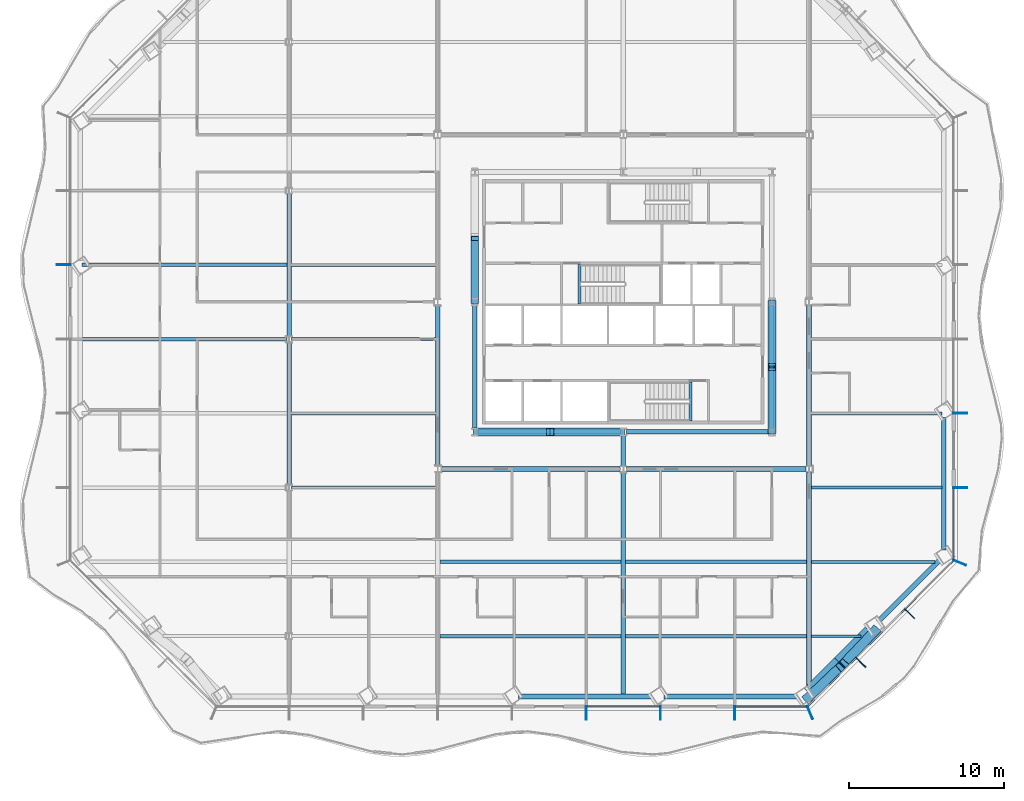
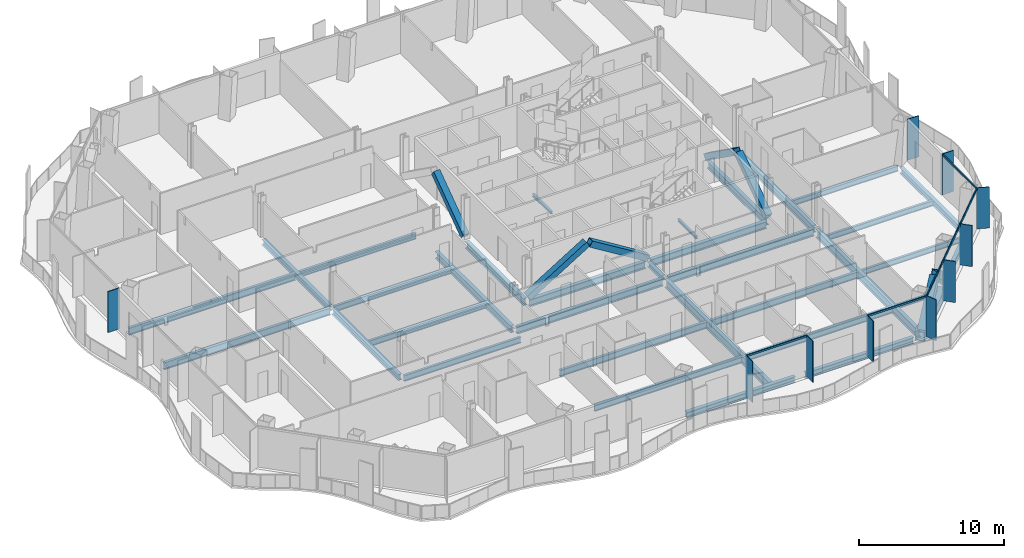
# One storey, part 2 of 20: 35 beams, 23 members, 4 elements without a shape of their own.
"""IFC4 building model written with IfcOpenShell, lengths in metres."""

from ifc_helpers import new_model, si_unit, direction, frame, origin, origin_2d, place, context, subcontext, project, spatial, rectangle, hollow_rectangle, i_section, extrude, material, material_profile, profile_set, type_object, element, aggregate, save


model = new_model("IFC4")

# Units and contexts
model_context = context("Model", 3, precision=1e-05, world=origin(), true_north=direction((0.0, 1.0)))
body_context = subcontext(model_context, "Body", "Model", "MODEL_VIEW")
ifc_project = project(units=[si_unit("LENGTHUNIT", "METRE"), si_unit("AREAUNIT", "SQUARE_METRE"), si_unit("VOLUMEUNIT", "CUBIC_METRE"), si_unit("PLANEANGLEUNIT", "RADIAN"), si_unit("MASSUNIT", "GRAM", prefix="KILO")], contexts=[model_context])

# Site, building, storey
site_placement = place(None, origin())
site = spatial("IfcSite", under=ifc_project, at=site_placement, CompositionType="ELEMENT")
building_placement = place(site_placement, origin())
building = spatial("IfcBuilding", under=site, at=building_placement, Name="Cairn Pilgrim Tower", CompositionType="ELEMENT")
storey_placement = place(building_placement, frame((0.0, 0.0, 87.0)))
storey = spatial("IfcBuildingStorey", under=building, at=storey_placement, Name="L20", CompositionType="ELEMENT", Elevation=87.0)

# Members
ifc_material_1 = material(Name="Structural steel S460M", Category="steel")
ifc_material_profile_1 = material_profile(ifc_material_1, hollow_rectangle(XDim=0.5, YDim=0.5, WallThickness=0.030029296875, at=origin_2d()), Name="BOX 500x500x30")
ifc_profile_set_1 = profile_set([ifc_material_profile_1], Name="Structural steel S460M")
member_type_1 = type_object("IfcMemberType", Name="BOX 500x500x30 BRACE", PredefinedType="BRACE", material=ifc_profile_set_1)
member_1_placement = place(storey_placement, frame((-2.356201171875, -6.0, 0.10009765625), z_axis=(0.85100996818, 0.0, 0.525149534951), x_axis=(0.0, 1.0, 0.0)))
element("IfcMember", 1, at=member_1_placement, inside=storey, type_object=member_type_1, Name="KB-1A", PredefinedType="BRACE", context=body_context, shape_type="SweptSolid", body=[
    extrude(hollow_rectangle(XDim=0.5, YDim=0.5, WallThickness=0.030029296875, at=origin_2d()), origin(), (0.0, 0.0, 1.0), 5.526123046875),
])
member_2_placement = place(storey_placement, frame((7.15625, -6.0, 0.10009765625), z_axis=(-0.851007515624, 0.0, 0.525153509321), x_axis=(0.0, -1.0, 0.0)))
element("IfcMember", 2, at=member_2_placement, inside=storey, type_object=member_type_1, Name="KB-1B", PredefinedType="BRACE", context=body_context, shape_type="SweptSolid", body=[
    extrude(hollow_rectangle(XDim=0.5, YDim=0.5, WallThickness=0.030029296875, at=origin_2d()), origin(), (0.0, 0.0, 1.0), 5.37646484375),
])
member_3_placement = place(storey_placement, frame((16.800048828125, -5.956298828125, 0.10009765625), z_axis=(0.0, 0.814198726233, 0.580586284889), x_axis=(-1.0, 0.0, 0.0)))
element("IfcMember", 3, at=member_3_placement, inside=storey, type_object=member_type_1, Name="KB-2A", PredefinedType="BRACE", context=body_context, shape_type="SweptSolid", body=[
    extrude(hollow_rectangle(XDim=0.5, YDim=0.5, WallThickness=0.030029296875, at=origin_2d()), origin(), (0.0, 0.0, 1.0), 4.99658203125),
])
member_4_placement = place(storey_placement, frame((16.800048828125, 2.356201171875, 0.10009765625), z_axis=(0.0, -0.814182254599, 0.580609383576), x_axis=(1.0, 0.0, 0.0)))
element("IfcMember", 4, at=member_4_placement, inside=storey, type_object=member_type_1, Name="KB-2B", PredefinedType="BRACE", context=body_context, shape_type="SweptSolid", body=[
    extrude(hollow_rectangle(XDim=0.5, YDim=0.5, WallThickness=0.030029296875, at=origin_2d()), origin(), (0.0, 0.0, 1.0), 4.996337890625),
])
member_5_placement = place(storey_placement, frame((-2.39990234375, 2.443603515625, 0.10009765625), z_axis=(0.0, 0.814198726233, 0.580586284889), x_axis=(-1.0, 0.0, 0.0)))
element("IfcMember", 5, at=member_5_placement, inside=storey, type_object=member_type_1, Name="KB-4B", PredefinedType="BRACE", context=body_context, shape_type="SweptSolid", body=[
    extrude(hollow_rectangle(XDim=0.5, YDim=0.5, WallThickness=0.030029296875, at=origin_2d()), origin(), (0.0, 0.0, 1.0), 4.99658203125),
])
ifc_material_profile_2 = material_profile(ifc_material_1, hollow_rectangle(XDim=0.60009765625, YDim=0.60009765625, WallThickness=0.034912109375, at=origin_2d()), Name="BOX 600x600x35")
ifc_profile_set_2 = profile_set([ifc_material_profile_2], Name="Structural steel S460M")
member_type_2 = type_object("IfcMemberType", Name="BOX 600x600x35 BRACE", PredefinedType="BRACE", material=ifc_profile_set_2)
for number, where, z_axis, x_axis, name in (
    (6, (19.078125, -23.2236328125, 0.14990234375), (0.542999615229, 0.514585417461, 0.663591188909), (-0.687860685244, 0.725842736201, 0.0), "XB-SE1-SE2-1"),
    (7, (23.4873046875, -18.814697265625, 0.14990234375), (-0.514630534483, -0.5429824671, 0.663570232454), (0.725801779065, -0.68790390136, 0.0), "XB-SE1-SE2-2"),
):
    element("IfcMember", number, at=place(storey_placement, frame(where, z_axis=z_axis, x_axis=x_axis)), inside=storey, type_object=member_type_2, Name=name, PredefinedType="BRACE", context=body_context, shape_type="SweptSolid", body=[
        extrude(hollow_rectangle(XDim=0.60009765625, YDim=0.60009765625, WallThickness=0.034912109375, at=origin_2d()), origin(), (0.0, 0.0, 1.0), 3.978271484375),
    ])

# Beams
ifc_material_2 = material(Name="Structural steel S355J2", Category="steel")
ifc_material_profile_3 = material_profile(ifc_material_2, hollow_rectangle(XDim=0.699951171875, YDim=0.800048828125, WallThickness=0.0400390625, at=origin_2d()), Name="BOX 700x800x40")
ifc_profile_set_3 = profile_set([ifc_material_profile_3], Name="Structural steel S355J2")
beam_type_1 = type_object("IfcBeamType", Name="BOX 700x800x40 RING GIRDER", PredefinedType="SPANDREL", material=ifc_profile_set_3)
beam_1_placement = place(storey_placement, frame((19.113525390625, -22.813720703125, -0.550048828125), z_axis=(0.707106781187, 0.707106781187, 0.0), x_axis=(-0.707106781187, 0.707106781187, 0.0)))
element("IfcBeam", 8, at=beam_1_placement, inside=storey, type_object=beam_type_1, Name="RG1-SE1-SE2-1", PredefinedType="SPANDREL", context=body_context, shape_type="SweptSolid", body=[
    extrude(hollow_rectangle(XDim=0.699951171875, YDim=0.800048828125, WallThickness=0.0400390625, at=origin_2d()), origin(), (0.0, 0.0, 1.0), 2.802978515625),
])
beam_2_placement = place(storey_placement, frame((21.095458984375, -20.831787109375, -0.550048828125), z_axis=(0.707106781187, 0.707106781187, 0.0), x_axis=(-0.707106781187, 0.707106781187, 0.0)))
element("IfcBeam", 9, at=beam_2_placement, inside=storey, type_object=beam_type_1, Name="RG1-SE1-SE2-2", PredefinedType="SPANDREL", context=body_context, shape_type="SweptSolid", body=[
    extrude(hollow_rectangle(XDim=0.699951171875, YDim=0.800048828125, WallThickness=0.0400390625, at=origin_2d()), origin(), (0.0, 0.0, 1.0), 2.802490234375),
])

# Curtain wall, members
ifc_material_3 = material(Name="Aluminium alloy 6063-T6 bronze anodised with Bronze tinted laminated low-E glass 8+16+8.8", Category="aluminium")
curtain_wall_type_1 = type_object("IfcCurtainWallType", Name="TOWER STICK CURTAIN WALL NS", PredefinedType="NOTDEFINED", material=ifc_material_3)
curtain_wall_1_placement = place(storey_placement, origin())
curtain_wall_1 = element("IfcCurtainWall", 10, at=curtain_wall_1_placement, inside=storey, type_object=curtain_wall_type_1, Name="Tower Stick Curtain Wall Ns S", PredefinedType="NOTDEFINED")
ifc_material_4 = material(Name="Aluminium alloy 6063-T6 bronze anodised", Category="aluminium")
ifc_material_profile_4 = material_profile(ifc_material_4, rectangle(XDim=0.89990234375, YDim=0.06005859375, at=origin_2d()), Name="FIN MULLION 60x900 BRONZE")
ifc_profile_set_4 = profile_set([ifc_material_profile_4], Name="Aluminium alloy 6063-T6 bronze anodised")
member_type_3 = type_object("IfcMemberType", Name="FIN MULLION 60x900 BRONZE", PredefinedType="MULLION", material=ifc_profile_set_4)
member_6_placement = place(storey_placement, frame((4.800048828125, -24.169921875, 0.0), z_axis=(0.0, 0.0, 1.0), x_axis=(0.0, -1.0, 0.0)))
member_6 = element("IfcMember", 11, at=member_6_placement, type_object=member_type_3, Name="Fin mullion S6", PredefinedType="MULLION", context=body_context, shape_type="SweptSolid", body=[
    extrude(rectangle(XDim=0.89990234375, YDim=0.06005859375, at=origin_2d()), origin(), (0.0, 0.0, 1.0), 3.449951171875),
])
member_7_placement = place(storey_placement, frame((9.60009765625, -24.169921875, 0.0), z_axis=(0.0, 0.0, 1.0), x_axis=(0.0, -1.0, 0.0)))
member_7 = element("IfcMember", 12, at=member_7_placement, type_object=member_type_3, Name="Fin mullion S7", PredefinedType="MULLION", context=body_context, shape_type="SweptSolid", body=[
    extrude(rectangle(XDim=0.89990234375, YDim=0.06005859375, at=origin_2d()), origin(), (0.0, 0.0, 1.0), 3.449951171875),
])
member_8_placement = place(storey_placement, frame((14.39990234375, -24.169921875, 0.0), z_axis=(0.0, 0.0, 1.0), x_axis=(0.0, -1.0, 0.0)))
member_8 = element("IfcMember", 13, at=member_8_placement, type_object=member_type_3, Name="Fin mullion S8", PredefinedType="MULLION", context=body_context, shape_type="SweptSolid", body=[
    extrude(rectangle(XDim=0.89990234375, YDim=0.06005859375, at=origin_2d()), origin(), (0.0, 0.0, 1.0), 3.449951171875),
])

curtain_wall_type_2 = type_object("IfcCurtainWallType", Name="CHAMFER CORNER CURTAIN WALL", PredefinedType="NOTDEFINED", material=ifc_material_3)
curtain_wall_2_placement = place(storey_placement, origin())
curtain_wall_2 = element("IfcCurtainWall", 14, at=curtain_wall_2_placement, inside=storey, type_object=curtain_wall_type_2, Name="Chamfer Corner Curtain Wall SE", PredefinedType="NOTDEFINED")
member_9_placement = place(storey_placement, frame((19.257080078125, -24.137939453125, 0.0), z_axis=(0.0, 0.0, 1.0), x_axis=(0.382683432365, -0.923879532511, 0.0)))
member_9 = element("IfcMember", 15, at=member_9_placement, type_object=member_type_3, Name="Fin mullion SE1", PredefinedType="MULLION", context=body_context, shape_type="SweptSolid", body=[
    extrude(rectangle(XDim=0.89990234375, YDim=0.06005859375, at=origin_2d()), origin(), (0.0, 0.0, 1.0), 3.449951171875),
])
member_10_placement = place(storey_placement, frame((22.544677734375, -20.895751953125, 0.0), z_axis=(0.0, 0.0, 1.0), x_axis=(0.707106781187, -0.707106781187, 0.0)))
member_10 = element("IfcMember", 16, at=member_10_placement, type_object=member_type_3, Name="Fin mullion SE2", PredefinedType="MULLION", context=body_context, shape_type="SweptSolid", body=[
    extrude(rectangle(XDim=0.89990234375, YDim=0.06005859375, at=origin_2d()), origin(), (0.0, 0.0, 1.0), 3.449951171875),
])
member_11_placement = place(storey_placement, frame((25.69580078125, -17.74462890625, 0.0), z_axis=(0.0, 0.0, 1.0), x_axis=(0.707106781187, -0.707106781187, 0.0)))
member_11 = element("IfcMember", 17, at=member_11_placement, type_object=member_type_3, Name="Fin mullion SE3", PredefinedType="MULLION", context=body_context, shape_type="SweptSolid", body=[
    extrude(rectangle(XDim=0.89990234375, YDim=0.06005859375, at=origin_2d()), origin(), (0.0, 0.0, 1.0), 3.449951171875),
])

curtain_wall_type_3 = type_object("IfcCurtainWallType", Name="TOWER STICK CURTAIN WALL EW", PredefinedType="NOTDEFINED", material=ifc_material_3)
curtain_wall_3_placement = place(storey_placement, origin())
curtain_wall_3 = element("IfcCurtainWall", 18, at=curtain_wall_3_placement, inside=storey, type_object=curtain_wall_type_3, Name="Tower Stick Curtain Wall Ew E", PredefinedType="NOTDEFINED")
member_12_placement = place(storey_placement, frame((28.93798828125, -14.457275390625, 0.0), z_axis=(0.0, 0.0, 1.0), x_axis=(0.923879532511, -0.382683432365, 0.0)))
member_12 = element("IfcMember", 19, at=member_12_placement, type_object=member_type_3, Name="Fin mullion E1", PredefinedType="MULLION", context=body_context, shape_type="SweptSolid", body=[
    extrude(rectangle(XDim=0.89990234375, YDim=0.06005859375, at=origin_2d()), origin(), (0.0, 0.0, 1.0), 3.449951171875),
])
member_13_placement = place(storey_placement, frame((28.969970703125, -9.60009765625, 0.0), z_axis=(0.0, 0.0, 1.0), x_axis=(1.0, 0.0, 0.0)))
member_13 = element("IfcMember", 20, at=member_13_placement, type_object=member_type_3, Name="Fin mullion E2", PredefinedType="MULLION", context=body_context, shape_type="SweptSolid", body=[
    extrude(rectangle(XDim=0.89990234375, YDim=0.06005859375, at=origin_2d()), origin(), (0.0, 0.0, 1.0), 3.449951171875),
])
member_14_placement = place(storey_placement, frame((28.969970703125, -4.800048828125, 0.0), z_axis=(0.0, 0.0, 1.0), x_axis=(1.0, 0.0, 0.0)))
member_14 = element("IfcMember", 21, at=member_14_placement, type_object=member_type_3, Name="Fin mullion E3", PredefinedType="MULLION", context=body_context, shape_type="SweptSolid", body=[
    extrude(rectangle(XDim=0.89990234375, YDim=0.06005859375, at=origin_2d()), origin(), (0.0, 0.0, 1.0), 3.449951171875),
])

# Curtain wall, member
curtain_wall_4_placement = place(storey_placement, origin())
curtain_wall_4 = element("IfcCurtainWall", 22, at=curtain_wall_4_placement, inside=storey, type_object=curtain_wall_type_3, Name="Tower Stick Curtain Wall Ew W", PredefinedType="NOTDEFINED")
member_15_placement = place(storey_placement, frame((-28.969970703125, 4.800048828125, 0.0), z_axis=(0.0, 0.0, 1.0), x_axis=(-1.0, 0.0, 0.0)))
member_15 = element("IfcMember", 23, at=member_15_placement, type_object=member_type_3, Name="Fin mullion W3", PredefinedType="MULLION", context=body_context, shape_type="SweptSolid", body=[
    extrude(rectangle(XDim=0.89990234375, YDim=0.06005859375, at=origin_2d()), origin(), (0.0, 0.0, 1.0), 3.449951171875),
])
aggregate(curtain_wall_4, [member_15])

# Beams
ifc_material_profile_5 = material_profile(ifc_material_2, i_section(OverallWidth=0.300048828125, OverallDepth=0.39990234375, WebThickness=0.013427734375, FlangeThickness=0.02392578125, FilletRadius=0.027099609375, at=origin_2d()), Name="HEB 400")
ifc_profile_set_5 = profile_set([ifc_material_profile_5], Name="Structural steel S355J2")
beam_type_2 = type_object("IfcBeamType", Name="HEB 400 GIRDER", PredefinedType="BEAM", material=ifc_profile_set_5)
beam_3_placement = place(storey_placement, frame((7.199951171875, -8.18798828125, -0.35009765625), z_axis=(0.0, 1.0, 0.0), x_axis=(-1.0, 0.0, 0.0)))
element("IfcBeam", 24, at=beam_3_placement, inside=storey, type_object=beam_type_2, Name="PG3-E1", PredefinedType="BEAM", context=body_context, shape_type="SweptSolid", body=[
    extrude(i_section(OverallWidth=0.300048828125, OverallDepth=0.39990234375, WebThickness=0.013427734375, FlangeThickness=0.02392578125, FilletRadius=0.027099609375, at=origin_2d()), origin(), (0.0, 0.0, 1.0), 1.969482421875),
])
ifc_material_profile_6 = material_profile(ifc_material_2, i_section(OverallWidth=0.300048828125, OverallDepth=0.5, WebThickness=0.014404296875, FlangeThickness=0.028076171875, FilletRadius=0.027099609375, at=origin_2d()), Name="HEB 500")
ifc_profile_set_6 = profile_set([ifc_material_profile_6], Name="Structural steel S355J2")
beam_type_3 = type_object("IfcBeamType", Name="HEB 500 GIRDER", PredefinedType="BEAM", material=ifc_profile_set_6)
for number, where, z_axis, x_axis, name in (
    (25, (-14.39990234375, -9.3955078125, -0.39990234375), (0.0, 1.0, 0.0), (-1.0, 0.0, 0.0), "PG1-3"),
    (26, (-14.39990234375, 0.20458984375, -0.39990234375), (0.0, 1.0, 0.0), (-1.0, 0.0, 0.0), "PG1-4"),
):
    element("IfcBeam", number, at=place(storey_placement, frame(where, z_axis=z_axis, x_axis=x_axis)), inside=storey, type_object=beam_type_3, Name=name, PredefinedType="BEAM", context=body_context, shape_type="SweptSolid", body=[
        extrude(i_section(OverallWidth=0.300048828125, OverallDepth=0.5, WebThickness=0.014404296875, FlangeThickness=0.028076171875, FilletRadius=0.027099609375, at=origin_2d()), origin(), (0.0, 0.0, 1.0), 9.19091796875),
    ])
ifc_material_profile_7 = material_profile(ifc_material_2, i_section(OverallWidth=0.300048828125, OverallDepth=0.5, WebThickness=0.014404296875, FlangeThickness=0.028076171875, FilletRadius=0.027099609375, at=origin_2d()), Name="HEB 500")
ifc_profile_set_7 = profile_set([ifc_material_profile_7], Name="Structural steel S355J2")
beam_type_4 = type_object("IfcBeamType", Name="HEB 500 RING GIRDER", PredefinedType="SPANDREL", material=ifc_profile_set_7)
for number, where, z_axis, x_axis, name in (
    (27, (0.405029296875, -23.10009765625, -0.39990234375), (1.0, 0.0, 0.0), (0.0, 1.0, 0.0), "RG1-S3-S4"),
    (28, (9.818603515625, -23.10009765625, -0.39990234375), (1.0, 0.0, 0.0), (0.0, 1.0, 0.0), "RG1-S4-SE1"),
):
    element("IfcBeam", number, at=place(storey_placement, frame(where, z_axis=z_axis, x_axis=x_axis)), inside=storey, type_object=beam_type_4, Name=name, PredefinedType="SPANDREL", context=body_context, shape_type="SweptSolid", body=[
        extrude(i_section(OverallWidth=0.300048828125, OverallDepth=0.5, WebThickness=0.014404296875, FlangeThickness=0.028076171875, FilletRadius=0.027099609375, at=origin_2d()), origin(), (0.0, 0.0, 1.0), 8.603515625),
    ])
beam_4_placement = place(storey_placement, frame((23.64990234375, -18.277099609375, -0.39990234375), z_axis=(0.707128558756, 0.707085002947, 0.0), x_axis=(-0.707085002947, 0.707128558756, 0.0)))
element("IfcBeam", 29, at=beam_4_placement, inside=storey, type_object=beam_type_4, Name="RG1-SE2-E1", PredefinedType="SPANDREL", context=body_context, shape_type="SweptSolid", body=[
    extrude(i_section(OverallWidth=0.300048828125, OverallDepth=0.5, WebThickness=0.014404296875, FlangeThickness=0.028076171875, FilletRadius=0.027099609375, at=origin_2d()), origin(), (0.0, 0.0, 1.0), 5.605224609375),
])
beam_5_placement = place(storey_placement, frame((27.89990234375, -13.622314453125, -0.39990234375), z_axis=(0.0, 1.0, 0.0), x_axis=(-1.0, 0.0, 0.0)))
element("IfcBeam", 30, at=beam_5_placement, inside=storey, type_object=beam_type_4, Name="RG1-E1-E2", PredefinedType="SPANDREL", context=body_context, shape_type="SweptSolid", body=[
    extrude(i_section(OverallWidth=0.300048828125, OverallDepth=0.5, WebThickness=0.014404296875, FlangeThickness=0.028076171875, FilletRadius=0.027099609375, at=origin_2d()), origin(), (0.0, 0.0, 1.0), 8.54150390625),
])
ifc_material_profile_8 = material_profile(ifc_material_2, i_section(OverallWidth=0.300048828125, OverallDepth=0.60009765625, WebThickness=0.015380859375, FlangeThickness=0.030029296875, FilletRadius=0.027099609375, at=origin_2d()), Name="HEB 600")
ifc_profile_set_8 = profile_set([ifc_material_profile_8], Name="Structural steel S355J2")
beam_type_5 = type_object("IfcBeamType", Name="HEB 600 CORE BEAM", PredefinedType="BEAM", material=ifc_profile_set_8)
beam_6_placement = place(storey_placement, frame((-2.203369140625, -6.0, -0.449951171875), z_axis=(1.0, 0.0, 0.0), x_axis=(0.0, 1.0, 0.0)))
element("IfcBeam", 31, at=beam_6_placement, inside=storey, type_object=beam_type_5, Name="CB-1", PredefinedType="BEAM", context=body_context, shape_type="SweptSolid", body=[
    extrude(i_section(OverallWidth=0.300048828125, OverallDepth=0.60009765625, WebThickness=0.015380859375, FlangeThickness=0.030029296875, FilletRadius=0.027099609375, at=origin_2d()), origin(), (0.0, 0.0, 1.0), 9.206787109375),
])
beam_7_placement = place(storey_placement, frame((7.396728515625, -6.0, -0.449951171875), z_axis=(1.0, 0.0, 0.0), x_axis=(0.0, 1.0, 0.0)))
element("IfcBeam", 32, at=beam_7_placement, inside=storey, type_object=beam_type_5, Name="CB-2", PredefinedType="BEAM", context=body_context, shape_type="SweptSolid", body=[
    extrude(i_section(OverallWidth=0.300048828125, OverallDepth=0.60009765625, WebThickness=0.015380859375, FlangeThickness=0.030029296875, FilletRadius=0.027099609375, at=origin_2d()), origin(), (0.0, 0.0, 1.0), 9.20654296875),
])
for number, where, z_axis, x_axis, name in (
    (33, (16.800048828125, -5.803466796875, -0.449951171875), (0.0, 1.0, 0.0), (-1.0, 0.0, 0.0), "CB-3"),
    (34, (-2.39990234375, 2.203369140625, -0.449951171875), (0.0, -1.0, 0.0), (1.0, 0.0, 0.0), "CB-8"),
):
    element("IfcBeam", number, at=place(storey_placement, frame(where, z_axis=z_axis, x_axis=x_axis)), inside=storey, type_object=beam_type_5, Name=name, PredefinedType="BEAM", context=body_context, shape_type="SweptSolid", body=[
        extrude(i_section(OverallWidth=0.300048828125, OverallDepth=0.60009765625, WebThickness=0.015380859375, FlangeThickness=0.030029296875, FilletRadius=0.027099609375, at=origin_2d()), origin(), (0.0, 0.0, 1.0), 8.0068359375),
    ])
ifc_material_profile_9 = material_profile(ifc_material_2, i_section(OverallWidth=0.300048828125, OverallDepth=0.60009765625, WebThickness=0.015380859375, FlangeThickness=0.030029296875, FilletRadius=0.027099609375, at=origin_2d()), Name="HEB 600")
ifc_profile_set_9 = profile_set([ifc_material_profile_9], Name="Structural steel S355J2")
beam_type_6 = type_object("IfcBeamType", Name="HEB 600 GIRDER", PredefinedType="BEAM", material=ifc_profile_set_9)
for number, where, z_axis, x_axis, name in (
    (35, (-4.800048828125, -8.18798828125, -0.449951171875), (0.0, 1.0, 0.0), (-1.0, 0.0, 0.0), "PG2-2"),
    (36, (19.199951171875, -8.18798828125, -0.449951171875), (0.0, 1.0, 0.0), (-1.0, 0.0, 0.0), "PG4-2"),
):
    element("IfcBeam", number, at=place(storey_placement, frame(where, z_axis=z_axis, x_axis=x_axis)), inside=storey, type_object=beam_type_6, Name=name, PredefinedType="BEAM", context=body_context, shape_type="SweptSolid", body=[
        extrude(i_section(OverallWidth=0.300048828125, OverallDepth=0.60009765625, WebThickness=0.015380859375, FlangeThickness=0.030029296875, FilletRadius=0.027099609375, at=origin_2d()), origin(), (0.0, 0.0, 1.0), 10.3759765625),
    ])
ifc_material_profile_10 = material_profile(ifc_material_2, i_section(OverallWidth=0.300048828125, OverallDepth=0.60009765625, WebThickness=0.015380859375, FlangeThickness=0.030029296875, FilletRadius=0.027099609375, at=origin_2d()), Name="HEB 600")
ifc_profile_set_10 = profile_set([ifc_material_profile_10], Name="Structural steel S355J2")
beam_type_7 = type_object("IfcBeamType", Name="HEB 600 INNER GIRDER", PredefinedType="BEAM", material=ifc_profile_set_10)
for number, where, z_axis, x_axis, name in (
    (37, (-4.587890625, -8.39990234375, -0.449951171875), (1.0, 0.0, 0.0), (0.0, 1.0, 0.0), "IG1-1"),
    (38, (7.412109375, -8.39990234375, -0.449951171875), (1.0, 0.0, 0.0), (0.0, 1.0, 0.0), "IG1-2"),
):
    element("IfcBeam", number, at=place(storey_placement, frame(where, z_axis=z_axis, x_axis=x_axis)), inside=storey, type_object=beam_type_7, Name=name, PredefinedType="BEAM", context=body_context, shape_type="SweptSolid", body=[
        extrude(i_section(OverallWidth=0.300048828125, OverallDepth=0.60009765625, WebThickness=0.015380859375, FlangeThickness=0.030029296875, FilletRadius=0.027099609375, at=origin_2d()), origin(), (0.0, 0.0, 1.0), 11.575927734375),
    ])
ifc_material_profile_11 = material_profile(ifc_material_2, i_section(OverallWidth=0.300048828125, OverallDepth=0.699951171875, WebThickness=0.01708984375, FlangeThickness=0.031982421875, FilletRadius=0.027099609375, at=origin_2d()), Name="HEB 700")
ifc_profile_set_11 = profile_set([ifc_material_profile_11], Name="Structural steel S355J2")
beam_type_8 = type_object("IfcBeamType", Name="HEB 700 GIRDER", PredefinedType="BEAM", material=ifc_profile_set_11)
beam_8_placement = place(storey_placement, frame((7.199951171875, -22.97998046875, -0.5), z_axis=(0.0, 1.0, 0.0), x_axis=(-1.0, 0.0, 0.0)))
element("IfcBeam", 39, at=beam_8_placement, inside=storey, type_object=beam_type_8, Name="PG3-1", PredefinedType="BEAM", context=body_context, shape_type="SweptSolid", body=[
    extrude(i_section(OverallWidth=0.300048828125, OverallDepth=0.699951171875, WebThickness=0.01708984375, FlangeThickness=0.031982421875, FilletRadius=0.027099609375, at=origin_2d()), origin(), (0.0, 0.0, 1.0), 14.367919921875),
])
beam_9_placement = place(storey_placement, frame((19.199951171875, -22.545166015625, -0.5), z_axis=(0.0, 1.0, 0.0), x_axis=(-1.0, 0.0, 0.0)))
element("IfcBeam", 40, at=beam_9_placement, inside=storey, type_object=beam_type_8, Name="PG4-1", PredefinedType="BEAM", context=body_context, shape_type="SweptSolid", body=[
    extrude(i_section(OverallWidth=0.300048828125, OverallDepth=0.699951171875, WebThickness=0.01708984375, FlangeThickness=0.031982421875, FilletRadius=0.027099609375, at=origin_2d()), origin(), (0.0, 0.0, 1.0), 13.93310546875),
])
ifc_material_profile_12 = material_profile(ifc_material_2, i_section(OverallWidth=0.169921875, OverallDepth=0.360107421875, WebThickness=0.008056640625, FlangeThickness=0.0126953125, FilletRadius=0.01806640625, at=origin_2d()), Name="IPE 360")
ifc_profile_set_12 = profile_set([ifc_material_profile_12], Name="Structural steel S355J2")
beam_type_9 = type_object("IfcBeamType", Name="IPE 360 SECONDARY BEAM", PredefinedType="JOIST", material=ifc_profile_set_12)
beam_10_placement = place(storey_placement, frame((19.35009765625, -19.199951171875, -0.330078125), z_axis=(1.0, 0.0, 0.0), x_axis=(0.0, 1.0, 0.0)))
element("IfcBeam", 41, at=beam_10_placement, inside=storey, type_object=beam_type_9, Name="SB1-5", PredefinedType="JOIST", context=body_context, shape_type="SweptSolid", body=[
    extrude(i_section(OverallWidth=0.169921875, OverallDepth=0.360107421875, WebThickness=0.008056640625, FlangeThickness=0.0126953125, FilletRadius=0.01806640625, at=origin_2d()), origin(), (0.0, 0.0, 1.0), 3.195068359375),
])
ifc_material_profile_13 = material_profile(ifc_material_2, i_section(OverallWidth=0.18994140625, OverallDepth=0.449951171875, WebThickness=0.009521484375, FlangeThickness=0.0146484375, FilletRadius=0.02099609375, at=origin_2d()), Name="IPE 450")
ifc_profile_set_13 = profile_set([ifc_material_profile_13], Name="Structural steel S355J2")
beam_type_10 = type_object("IfcBeamType", Name="IPE 450 SECONDARY BEAM", PredefinedType="JOIST", material=ifc_profile_set_13)
beam_11_placement = place(storey_placement, frame((19.35009765625, -14.39990234375, -0.375), z_axis=(1.0, 0.0, 0.0), x_axis=(0.0, 1.0, 0.0)))
element("IfcBeam", 42, at=beam_11_placement, inside=storey, type_object=beam_type_10, Name="SB2-5", PredefinedType="JOIST", context=body_context, shape_type="SweptSolid", body=[
    extrude(i_section(OverallWidth=0.18994140625, OverallDepth=0.449951171875, WebThickness=0.009521484375, FlangeThickness=0.0146484375, FilletRadius=0.02099609375, at=origin_2d()), origin(), (0.0, 0.0, 1.0), 7.9951171875),
])
for number, where, z_axis, x_axis, name in (
    (43, (19.35009765625, -9.60009765625, -0.375), (1.0, 0.0, 0.0), (0.0, 1.0, 0.0), "SB3-3"),
    (44, (19.35009765625, -4.800048828125, -0.375), (1.0, 0.0, 0.0), (0.0, 1.0, 0.0), "SB4-3"),
):
    element("IfcBeam", number, at=place(storey_placement, frame(where, z_axis=z_axis, x_axis=x_axis)), inside=storey, type_object=beam_type_10, Name=name, PredefinedType="JOIST", context=body_context, shape_type="SweptSolid", body=[
        extrude(i_section(OverallWidth=0.18994140625, OverallDepth=0.449951171875, WebThickness=0.009521484375, FlangeThickness=0.0146484375, FilletRadius=0.02099609375, at=origin_2d()), origin(), (0.0, 0.0, 1.0), 8.429931640625),
    ])
ifc_material_profile_14 = material_profile(ifc_material_2, i_section(OverallWidth=0.199951171875, OverallDepth=0.5, WebThickness=0.01025390625, FlangeThickness=0.01611328125, FilletRadius=0.02099609375, at=origin_2d()), Name="IPE 500")
ifc_profile_set_14 = profile_set([ifc_material_profile_14], Name="Structural steel S355J2")
beam_type_11 = type_object("IfcBeamType", Name="IPE 500 SECONDARY BEAM", PredefinedType="JOIST", material=ifc_profile_set_14)
for number, where, z_axis, x_axis, name in (
    (45, (-14.25, -9.60009765625, -0.39990234375), (1.0, 0.0, 0.0), (0.0, 1.0, 0.0), "SB3-2"),
    (46, (-14.25, -4.800048828125, -0.39990234375), (1.0, 0.0, 0.0), (0.0, 1.0, 0.0), "SB4-2"),
    (47, (-14.25, 0.0, -0.39990234375), (1.0, 0.0, 0.0), (0.0, 1.0, 0.0), "SB5-2"),
    (48, (-14.25, 4.800048828125, -0.39990234375), (1.0, 0.0, 0.0), (0.0, 1.0, 0.0), "SB6-2"),
):
    element("IfcBeam", number, at=place(storey_placement, frame(where, z_axis=z_axis, x_axis=x_axis)), inside=storey, type_object=beam_type_11, Name=name, PredefinedType="JOIST", context=body_context, shape_type="SweptSolid", body=[
        extrude(i_section(OverallWidth=0.199951171875, OverallDepth=0.5, WebThickness=0.01025390625, FlangeThickness=0.01611328125, FilletRadius=0.02099609375, at=origin_2d()), origin(), (0.0, 0.0, 1.0), 9.300048828125),
    ])
ifc_material_profile_15 = material_profile(ifc_material_2, i_section(OverallWidth=0.2099609375, OverallDepth=0.550048828125, WebThickness=0.010986328125, FlangeThickness=0.01708984375, FilletRadius=0.02392578125, at=origin_2d()), Name="IPE 550")
ifc_profile_set_15 = profile_set([ifc_material_profile_15], Name="Structural steel S355J2")
beam_type_12 = type_object("IfcBeamType", Name="IPE 550 SECONDARY BEAM", PredefinedType="JOIST", material=ifc_profile_set_15)
for number, where, z_axis, x_axis, name in (
    (49, (-4.64990234375, -19.199951171875, -0.425048828125), (1.0, 0.0, 0.0), (0.0, 1.0, 0.0), "SB1-3"),
    (50, (7.35009765625, -19.199951171875, -0.425048828125), (1.0, 0.0, 0.0), (0.0, 1.0, 0.0), "SB1-4"),
    (51, (-4.64990234375, -14.39990234375, -0.425048828125), (1.0, 0.0, 0.0), (0.0, 1.0, 0.0), "SB2-3"),
    (52, (7.35009765625, -14.39990234375, -0.425048828125), (1.0, 0.0, 0.0), (0.0, 1.0, 0.0), "SB2-4"),
):
    element("IfcBeam", number, at=place(storey_placement, frame(where, z_axis=z_axis, x_axis=x_axis)), inside=storey, type_object=beam_type_12, Name=name, PredefinedType="JOIST", context=body_context, shape_type="SweptSolid", body=[
        extrude(i_section(OverallWidth=0.2099609375, OverallDepth=0.550048828125, WebThickness=0.010986328125, FlangeThickness=0.01708984375, FilletRadius=0.02392578125, at=origin_2d()), origin(), (0.0, 0.0, 1.0), 11.699951171875),
    ])
ifc_material_profile_16 = material_profile(ifc_material_2, i_section(OverallWidth=0.219970703125, OverallDepth=0.60009765625, WebThickness=0.011962890625, FlangeThickness=0.01904296875, FilletRadius=0.02392578125, at=origin_2d()), Name="IPE 600")
ifc_profile_set_16 = profile_set([ifc_material_profile_16], Name="Structural steel S355J2")
beam_type_13 = type_object("IfcBeamType", Name="IPE 600 SECONDARY BEAM", PredefinedType="JOIST", material=ifc_profile_set_16)
for number, where, z_axis, x_axis, name in (
    (53, (-27.780029296875, 0.0, -0.449951171875), (1.0, 0.0, 0.0), (0.0, 1.0, 0.0), "SB5-1"),
    (54, (-27.780029296875, 4.800048828125, -0.449951171875), (1.0, 0.0, 0.0), (0.0, 1.0, 0.0), "SB6-1"),
):
    element("IfcBeam", number, at=place(storey_placement, frame(where, z_axis=z_axis, x_axis=x_axis)), inside=storey, type_object=beam_type_13, Name=name, PredefinedType="JOIST", context=body_context, shape_type="SweptSolid", body=[
        extrude(i_section(OverallWidth=0.219970703125, OverallDepth=0.60009765625, WebThickness=0.011962890625, FlangeThickness=0.01904296875, FilletRadius=0.02392578125, at=origin_2d()), origin(), (0.0, 0.0, 1.0), 13.22998046875),
    ])
ifc_material_profile_17 = material_profile(ifc_material_2, i_section(OverallWidth=0.199951171875, OverallDepth=0.199951171875, WebThickness=0.009033203125, FlangeThickness=0.014892578125, FilletRadius=0.01806640625, at=origin_2d()), Name="HE 200 B")
ifc_profile_set_17 = profile_set([ifc_material_profile_17], Name="Structural steel S355J2")
beam_type_14 = type_object("IfcBeamType", Name="STAIR LANDING BEAM HE 200 B", PredefinedType="BEAM", material=ifc_profile_set_17)
beam_12_placement = place(storey_placement, frame((11.5244140625, -2.77490234375, -0.25), z_axis=(0.0, -1.0, 0.0), x_axis=(1.0, 0.0, 0.0)))
element("IfcBeam", 55, at=beam_12_placement, inside=storey, type_object=beam_type_14, Name="STAIR LANDING BEAM LD-HE200B", PredefinedType="BEAM", context=body_context, shape_type="SweptSolid", body=[
    extrude(i_section(OverallWidth=0.199951171875, OverallDepth=0.199951171875, WebThickness=0.009033203125, FlangeThickness=0.014892578125, FilletRadius=0.01806640625, at=origin_2d()), origin(), (0.0, 0.0, 1.0), 2.525146484375),
])
beam_13_placement = place(storey_placement, frame((4.37548828125, 2.27490234375, -0.25), z_axis=(0.0, 1.0, 0.0), x_axis=(-1.0, 0.0, 0.0)))
element("IfcBeam", 56, at=beam_13_placement, inside=storey, type_object=beam_type_14, Name="STAIR LANDING BEAM LD-HE200B", PredefinedType="BEAM", context=body_context, shape_type="SweptSolid", body=[
    extrude(i_section(OverallWidth=0.199951171875, OverallDepth=0.199951171875, WebThickness=0.009033203125, FlangeThickness=0.014892578125, FilletRadius=0.01806640625, at=origin_2d()), origin(), (0.0, 0.0, 1.0), 2.550048828125),
])

# Member
ifc_material_profile_18 = material_profile(ifc_material_4, rectangle(XDim=0.080078125, YDim=0.14990234375, at=origin_2d()), Name="TRANSOM 80x150 BRONZE")
ifc_profile_set_18 = profile_set([ifc_material_profile_18], Name="Aluminium alloy 6063-T6 bronze anodised")
member_type_4 = type_object("IfcMemberType", Name="TRANSOM 80x150 BRONZE", PredefinedType="USERDEFINED", material=ifc_profile_set_18)
member_16_placement = place(storey_placement, frame((4.830078125, -23.75, 3.375), z_axis=(1.0, 0.0, 0.0), x_axis=(0.0, 1.0, 0.0)))
member_16 = element("IfcMember", 57, at=member_16_placement, type_object=member_type_4, Name="Transom S6", ObjectType="TRANSOM", PredefinedType="USERDEFINED", context=body_context, shape_type="SweptSolid", body=[
    extrude(rectangle(XDim=0.080078125, YDim=0.14990234375, at=origin_2d()), origin(), (0.0, 0.0, 1.0), 4.739990234375),
])

member_17_placement = place(storey_placement, frame((14.429931640625, -23.75, 3.375), z_axis=(1.0, 0.0, 0.0), x_axis=(0.0, 1.0, 0.0)))
member_17 = element("IfcMember", 58, at=member_17_placement, type_object=member_type_4, Name="Transom S8", ObjectType="TRANSOM", PredefinedType="USERDEFINED", context=body_context, shape_type="SweptSolid", body=[
    extrude(rectangle(XDim=0.080078125, YDim=0.14990234375, at=origin_2d()), origin(), (0.0, 0.0, 1.0), 4.62646484375),
])

aggregate(curtain_wall_1, [member_6, member_7, member_8, member_16, member_17])

member_18_placement = place(storey_placement, frame((19.124755859375, -23.7216796875, 3.375), z_axis=(0.707106781187, 0.707106781187, 0.0), x_axis=(-0.707106781187, 0.707106781187, 0.0)))
member_18 = element("IfcMember", 59, at=member_18_placement, type_object=member_type_4, Name="Transom SE1", ObjectType="TRANSOM", PredefinedType="USERDEFINED", context=body_context, shape_type="SweptSolid", body=[
    extrude(rectangle(XDim=0.080078125, YDim=0.14990234375, at=origin_2d()), origin(), (0.0, 0.0, 1.0), 4.38623046875),
])

member_19_placement = place(storey_placement, frame((22.268798828125, -20.57763671875, 3.375), z_axis=(0.707106781187, 0.707106781187, 0.0), x_axis=(-0.707106781187, 0.707106781187, 0.0)))
member_19 = element("IfcMember", 60, at=member_19_placement, type_object=member_type_4, Name="Transom SE2", ObjectType="TRANSOM", PredefinedType="USERDEFINED", context=body_context, shape_type="SweptSolid", body=[
    extrude(rectangle(XDim=0.080078125, YDim=0.14990234375, at=origin_2d()), origin(), (0.0, 0.0, 1.0), 4.396728515625),
])

member_20_placement = place(storey_placement, frame((25.419921875, -17.426513671875, 3.375), z_axis=(0.707106781187, 0.707106781187, 0.0), x_axis=(-0.707106781187, 0.707106781187, 0.0)))
member_20 = element("IfcMember", 61, at=member_20_placement, type_object=member_type_4, Name="Transom SE3", ObjectType="TRANSOM", PredefinedType="USERDEFINED", context=body_context, shape_type="SweptSolid", body=[
    extrude(rectangle(XDim=0.080078125, YDim=0.14990234375, at=origin_2d()), origin(), (0.0, 0.0, 1.0), 4.38671875),
])

aggregate(curtain_wall_2, [member_9, member_10, member_11, member_18, member_19, member_20])

member_21_placement = place(storey_placement, frame((28.550048828125, -14.25634765625, 3.375), z_axis=(0.0, 1.0, 0.0), x_axis=(-1.0, 0.0, 0.0)))
member_21 = element("IfcMember", 62, at=member_21_placement, type_object=member_type_4, Name="Transom E1", ObjectType="TRANSOM", PredefinedType="USERDEFINED", context=body_context, shape_type="SweptSolid", body=[
    extrude(rectangle(XDim=0.080078125, YDim=0.14990234375, at=origin_2d()), origin(), (0.0, 0.0, 1.0), 4.62646484375),
])

aggregate(curtain_wall_3, [member_12, member_13, member_14, member_21])

save(model, "model.ifc")
